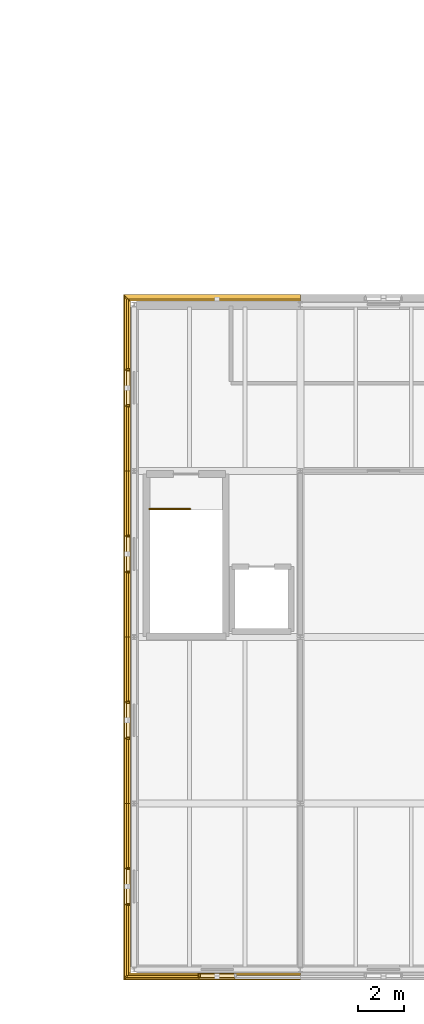
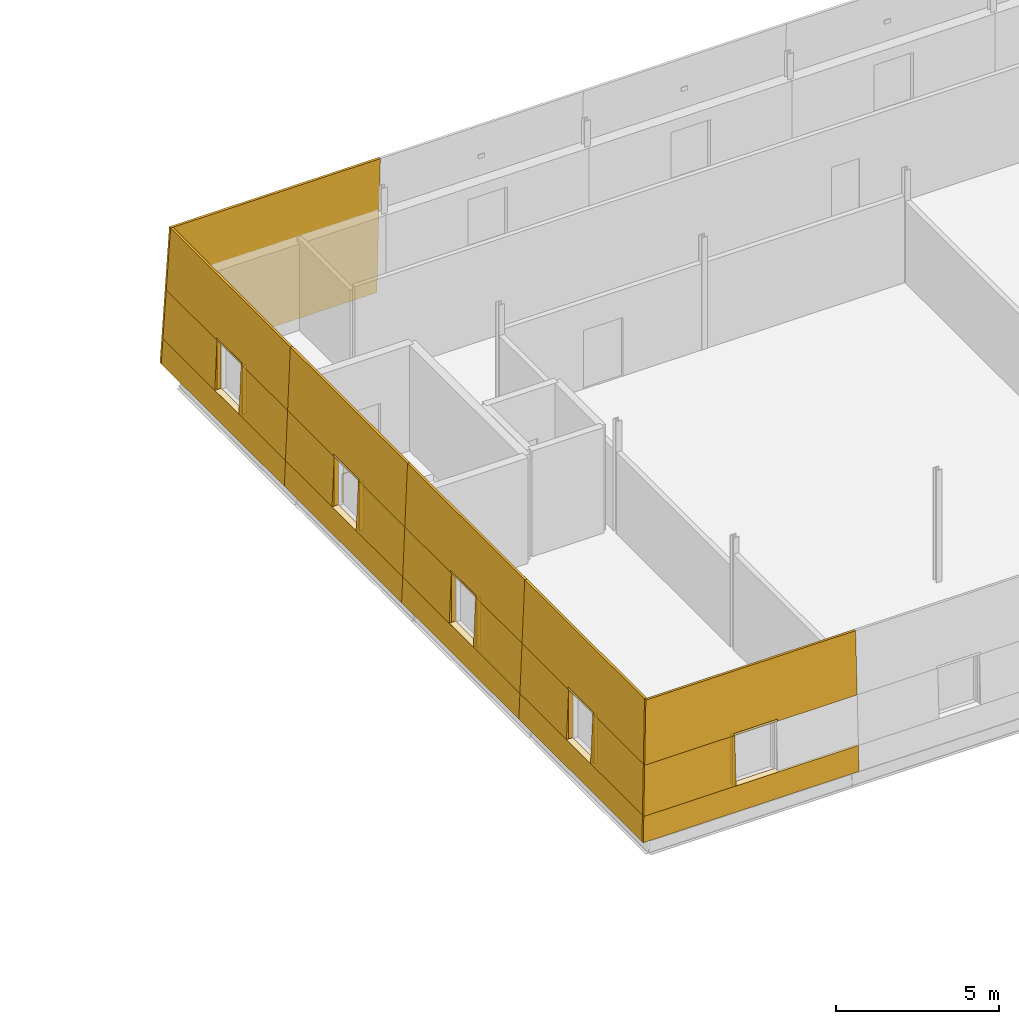
# One storey, part 78 of 91: 39 coverings, 1 railing.
"""IFC4 building model written with IfcOpenShell, lengths in metres."""

from ifc_helpers import new_model, si_unit, direction, frame, origin, origin_2d, place, context, subcontext, project, spatial, polyline, circle, outline, extrude, material, layer, layer_set, type_object, element, save


model = new_model("IFC4")

# Units and contexts
model_context = context("Model", 3, precision=1e-05, world=origin(), true_north=direction((0.0, 1.0)))
body_context = subcontext(model_context, "Body", "Model", "MODEL_VIEW")
ifc_project = project(units=[si_unit("LENGTHUNIT", "METRE"), si_unit("AREAUNIT", "SQUARE_METRE"), si_unit("VOLUMEUNIT", "CUBIC_METRE"), si_unit("PLANEANGLEUNIT", "RADIAN"), si_unit("MASSUNIT", "GRAM", prefix="KILO")], contexts=[model_context])

# Site, building, storey
site_placement = place(None, origin())
site = spatial("IfcSite", under=ifc_project, at=site_placement, CompositionType="ELEMENT")
building_placement = place(site_placement, origin())
building = spatial("IfcBuilding", under=site, at=building_placement, Name="Narikvali Park Central Library", CompositionType="ELEMENT")
storey_placement = place(building_placement, frame((0.0, 0.0, 14.39990234375)))
storey = spatial("IfcBuildingStorey", under=building, at=storey_placement, Name="L03", CompositionType="ELEMENT", Elevation=14.39990234375)

# Coverings
ifc_material_1 = material(Name="White Honed Limestone Cladding", Category="masonry")
ifc_layer_1 = layer(ifc_material_1, 0.0849609375, Name="White Honed Limestone Cladding")
ifc_layer_set_1 = layer_set([ifc_layer_1], Name="White Honed Limestone Cladding")
covering_type_1 = type_object("IfcCoveringType", Name="Battered White Limestone Facade Cladding Panel", PredefinedType="CLADDING", material=ifc_layer_set_1)
covering_1_placement = place(storey_placement, frame((121.94921875, -0.45068359375, 0.0), z_axis=(0.0, -0.999166557991, 0.040818983227), x_axis=(1.0, 0.0, 0.0)))
element("IfcCovering", 1, at=covering_1_placement, inside=storey, type_object=covering_type_1, Name="V6 L03 S Battered Limestone Spandrel B01", PredefinedType="CLADDING", context=body_context, shape_type="SweptSolid", body=[
    extrude(outline(polyline([(0.0, 0.0), (7.65087890625, 0.0), (7.65087890625, 0.9509879057703832), (0.038818359375, 0.9509879057703832), (0.0, 0.0)])), origin(), (0.0, 0.0, -1.0), 0.0849609375),
])
covering_2_placement = place(storey_placement, frame((122.063720703125, -0.336181640625, 2.800048828125), z_axis=(0.0, -0.999163385357, 0.040896569066), x_axis=(1.0, 0.0, 0.0)))
element("IfcCovering", 2, at=covering_2_placement, inside=storey, type_object=covering_type_1, Name="V6 L03 S Battered Limestone Lintel B01", PredefinedType="CLADDING", context=body_context, shape_type="SweptSolid", body=[
    extrude(outline(polyline([(0.0, 0.0), (7.536376953125, 0.0), (7.536376953125, 2.352065428628229), (0.09619140625, 2.352065428628229), (0.0, 0.0)])), origin(), (0.0, 0.0, -1.0), 0.0849609375),
])
covering_3_placement = place(storey_placement, frame((121.988037109375, -0.411865234375, 0.9501953125), z_axis=(0.0, -0.999164100603, 0.040879090826), x_axis=(1.0, 0.0, 0.0)))
element("IfcCovering", 3, at=covering_3_placement, inside=storey, type_object=covering_type_1, Name="V6 L03 S Battered Limestone Jamb Pier L B01", PredefinedType="CLADDING", context=body_context, shape_type="SweptSolid", body=[
    extrude(outline(polyline([(0.0, 0.0), (3.27197265625, 0.0), (3.27197265625, 1.8514011006891744), (0.07568359375, 1.8514011006891744), (0.0, 0.0)])), origin(), (0.0, 0.0, -1.0), 0.0849609375),
])
covering_4_placement = place(storey_placement, frame((129.60009765625, 29.250732421875, 0.0), z_axis=(0.0, 0.999164228006, 0.040875976713), x_axis=(-1.0, 0.0, 0.0)))
element("IfcCovering", 4, at=covering_4_placement, inside=storey, type_object=covering_type_1, Name="V6 L03 N Battered Limestone Panel B06", PredefinedType="CLADDING", context=body_context, shape_type="SweptSolid", body=[
    extrude(outline(polyline([(0.0, 0.0), (7.65087890625, 0.0), (7.440185546875, 5.154454433032161), (0.0, 5.154454433032161), (0.0, 0.0)])), origin(), (0.0, 0.0, -1.0), 0.0849609375),
])
covering_5_placement = place(storey_placement, frame((121.94921875, 29.165771484375, 0.0), z_axis=(-0.999166557991, 0.0, 0.040818983227), x_axis=(0.0, -1.0, 0.0)))
element("IfcCovering", 5, at=covering_5_placement, inside=storey, type_object=covering_type_1, Name="V6 L03 W Battered Limestone Spandrel B01", PredefinedType="CLADDING", context=body_context, shape_type="SweptSolid", body=[
    extrude(outline(polyline([(0.0, 0.0), (7.565673828125, 0.0), (7.565673828125, 0.9509879057703832), (0.038818359375, 0.9509879057703832), (0.0, 0.0)])), origin(), (0.0, 0.0, -1.0), 0.0849609375),
])
covering_6_placement = place(storey_placement, frame((122.063720703125, 29.05126953125, 2.800048828125), z_axis=(-0.999163385357, 0.0, 0.040896569066), x_axis=(0.0, -1.0, 0.0)))
element("IfcCovering", 6, at=covering_6_placement, inside=storey, type_object=covering_type_1, Name="V6 L03 W Battered Limestone Lintel B01", PredefinedType="CLADDING", context=body_context, shape_type="SweptSolid", body=[
    extrude(outline(polyline([(0.0, 0.0), (7.451171875, 0.0), (7.451171875, 2.352065428628229), (0.09619140625, 2.352065428628229), (0.0, 0.0)])), origin(), (0.0, 0.0, -1.0), 0.0849609375),
])
covering_7_placement = place(storey_placement, frame((121.988037109375, 29.126953125, 0.9501953125), z_axis=(-0.999164100603, 0.0, 0.040879090826), x_axis=(0.0, -1.0, 0.0)))
element("IfcCovering", 7, at=covering_7_placement, inside=storey, type_object=covering_type_1, Name="V6 L03 W Battered Limestone Jamb Pier L B01", PredefinedType="CLADDING", context=body_context, shape_type="SweptSolid", body=[
    extrude(outline(polyline([(0.0, 0.0), (3.18701171875, 0.0), (3.18701171875, 1.8514011006891746), (0.07568359375, 1.8514011006891746), (0.0, 0.0)])), origin(), (0.0, 0.0, -1.0), 0.0849609375),
])
covering_8_placement = place(storey_placement, frame((121.988037109375, 24.4599609375, 0.9501953125), z_axis=(-0.999164100603, 0.0, 0.040879090826), x_axis=(0.0, -1.0, 0.0)))
element("IfcCovering", 8, at=covering_8_placement, inside=storey, type_object=covering_type_1, Name="V6 L03 W Battered Limestone Jamb Pier R B01", PredefinedType="CLADDING", context=body_context, shape_type="SweptSolid", body=[
    extrude(outline(polyline([(0.0, 0.0), (2.85986328125, 0.0), (2.85986328125, 1.8514011006891746), (0.0, 1.8514011006891746), (0.0, 0.0)])), origin(), (0.0, 0.0, -1.0), 0.0849609375),
])
covering_9_placement = place(storey_placement, frame((121.94921875, 21.60009765625, 0.0), z_axis=(-0.999166557991, 0.0, 0.040818983227), x_axis=(0.0, -1.0, 0.0)))
element("IfcCovering", 9, at=covering_9_placement, inside=storey, type_object=covering_type_1, Name="V6 L03 W Battered Limestone Spandrel B02", PredefinedType="CLADDING", context=body_context, shape_type="SweptSolid", body=[
    extrude(outline(polyline([(0.0, 0.0), (7.2001953125, 0.0), (7.2001953125, 0.9509879057703833), (0.0, 0.9509879057703833), (0.0, 0.0)])), origin(), (0.0, 0.0, -1.0), 0.0849609375),
])
covering_10_placement = place(storey_placement, frame((122.063720703125, 21.60009765625, 2.800048828125), z_axis=(-0.999163385357, 0.0, 0.040896569066), x_axis=(0.0, -1.0, 0.0)))
element("IfcCovering", 10, at=covering_10_placement, inside=storey, type_object=covering_type_1, Name="V6 L03 W Battered Limestone Lintel B02", PredefinedType="CLADDING", context=body_context, shape_type="SweptSolid", body=[
    extrude(outline(polyline([(0.0, 0.0), (7.2001953125, 0.0), (7.2001953125, 2.352065428628229), (0.0, 2.352065428628229), (0.0, 0.0)])), origin(), (0.0, 0.0, -1.0), 0.0849609375),
])
for number, where, z_axis, x_axis, name in (
    (11, (121.988037109375, 21.60009765625, 0.9501953125), (-0.999164100603, 0.0, 0.040879090826), (0.0, -1.0, 0.0), "V6 L03 W Battered Limestone Jamb Pier L B02"),
    (12, (121.988037109375, 17.260009765625, 0.9501953125), (-0.999164100603, 0.0, 0.040879090826), (0.0, -1.0, 0.0), "V6 L03 W Battered Limestone Jamb Pier R B02"),
):
    element("IfcCovering", number, at=place(storey_placement, frame(where, z_axis=z_axis, x_axis=x_axis)), inside=storey, type_object=covering_type_1, Name=name, PredefinedType="CLADDING", context=body_context, shape_type="SweptSolid", body=[
        extrude(outline(polyline([(0.0, 0.0), (2.860107421875, 0.0), (2.860107421875, 1.8514011006891744), (0.0, 1.8514011006891744), (0.0, 0.0)])), origin(), (0.0, 0.0, -1.0), 0.0849609375),
    ])
covering_11_placement = place(storey_placement, frame((121.94921875, 14.39990234375, 0.0), z_axis=(-0.999166557991, 0.0, 0.040818983227), x_axis=(0.0, -1.0, 0.0)))
element("IfcCovering", 13, at=covering_11_placement, inside=storey, type_object=covering_type_1, Name="V6 L03 W Battered Limestone Spandrel B03", PredefinedType="CLADDING", context=body_context, shape_type="SweptSolid", body=[
    extrude(outline(polyline([(0.0, 0.0), (7.199951171875, 0.0), (7.199951171875, 0.9509879057703833), (0.0, 0.9509879057703833), (0.0, 0.0)])), origin(), (0.0, 0.0, -1.0), 0.0849609375),
])
covering_12_placement = place(storey_placement, frame((122.063720703125, 14.39990234375, 2.800048828125), z_axis=(-0.999163385357, 0.0, 0.040896569066), x_axis=(0.0, -1.0, 0.0)))
element("IfcCovering", 14, at=covering_12_placement, inside=storey, type_object=covering_type_1, Name="V6 L03 W Battered Limestone Lintel B03", PredefinedType="CLADDING", context=body_context, shape_type="SweptSolid", body=[
    extrude(outline(polyline([(0.0, 0.0), (7.199951171875, 0.0), (7.199951171875, 2.352065428628229), (0.0, 2.352065428628229), (0.0, 0.0)])), origin(), (0.0, 0.0, -1.0), 0.0849609375),
])
covering_13_placement = place(storey_placement, frame((121.988037109375, 14.39990234375, 0.9501953125), z_axis=(-0.999164100603, 0.0, 0.040879090826), x_axis=(0.0, -1.0, 0.0)))
element("IfcCovering", 15, at=covering_13_placement, inside=storey, type_object=covering_type_1, Name="V6 L03 W Battered Limestone Jamb Pier L B03", PredefinedType="CLADDING", context=body_context, shape_type="SweptSolid", body=[
    extrude(outline(polyline([(0.0, 0.0), (2.85986328125, 0.0), (2.85986328125, 1.8514011006891746), (0.0, 1.8514011006891746), (0.0, 0.0)])), origin(), (0.0, 0.0, -1.0), 0.0849609375),
])
covering_14_placement = place(storey_placement, frame((121.988037109375, 10.06005859375, 0.9501953125), z_axis=(-0.999164100603, 0.0, 0.040879090826), x_axis=(0.0, -1.0, 0.0)))
element("IfcCovering", 16, at=covering_14_placement, inside=storey, type_object=covering_type_1, Name="V6 L03 W Battered Limestone Jamb Pier R B03", PredefinedType="CLADDING", context=body_context, shape_type="SweptSolid", body=[
    extrude(outline(polyline([(0.0, 0.0), (2.860107421875, 0.0), (2.860107421875, 1.8514011006891744), (0.0, 1.8514011006891744), (0.0, 0.0)])), origin(), (0.0, 0.0, -1.0), 0.0849609375),
])
covering_15_placement = place(storey_placement, frame((121.94921875, 7.199951171875, 0.0), z_axis=(-0.999166557991, 0.0, 0.040818983227), x_axis=(0.0, -1.0, 0.0)))
element("IfcCovering", 17, at=covering_15_placement, inside=storey, type_object=covering_type_1, Name="V6 L03 W Battered Limestone Spandrel B04", PredefinedType="CLADDING", context=body_context, shape_type="SweptSolid", body=[
    extrude(outline(polyline([(0.0, 0.0), (7.565673828125, 0.0), (7.52685546875, 0.9509879057703832), (0.0, 0.9509879057703832), (0.0, 0.0)])), origin(), (0.0, 0.0, -1.0), 0.0849609375),
])
covering_16_placement = place(storey_placement, frame((122.063720703125, 7.199951171875, 2.800048828125), z_axis=(-0.999163385357, 0.0, 0.040896569066), x_axis=(0.0, -1.0, 0.0)))
element("IfcCovering", 18, at=covering_16_placement, inside=storey, type_object=covering_type_1, Name="V6 L03 W Battered Limestone Lintel B04", PredefinedType="CLADDING", context=body_context, shape_type="SweptSolid", body=[
    extrude(outline(polyline([(0.0, 0.0), (7.451171875, 0.0), (7.35498046875, 2.352065428628229), (0.0, 2.352065428628229), (0.0, 0.0)])), origin(), (0.0, 0.0, -1.0), 0.0849609375),
])
covering_17_placement = place(storey_placement, frame((121.988037109375, 7.199951171875, 0.9501953125), z_axis=(-0.999164100603, 0.0, 0.040879090826), x_axis=(0.0, -1.0, 0.0)))
element("IfcCovering", 19, at=covering_17_placement, inside=storey, type_object=covering_type_1, Name="V6 L03 W Battered Limestone Jamb Pier L B04", PredefinedType="CLADDING", context=body_context, shape_type="SweptSolid", body=[
    extrude(outline(polyline([(0.0, 0.0), (2.85986328125, 0.0), (2.85986328125, 1.8514011006891746), (0.0, 1.8514011006891746), (0.0, 0.0)])), origin(), (0.0, 0.0, -1.0), 0.0849609375),
])
covering_18_placement = place(storey_placement, frame((121.988037109375, 2.860107421875, 0.9501953125), z_axis=(-0.999164100603, 0.0, 0.040879090826), x_axis=(0.0, -1.0, 0.0)))
element("IfcCovering", 20, at=covering_18_placement, inside=storey, type_object=covering_type_1, Name="V6 L03 W Battered Limestone Jamb Pier R B04", PredefinedType="CLADDING", context=body_context, shape_type="SweptSolid", body=[
    extrude(outline(polyline([(0.0, 0.0), (3.18701171875, 0.0), (3.111328125, 1.8514011006891746), (0.0, 1.8514011006891746), (0.0, 0.0)])), origin(), (0.0, 0.0, -1.0), 0.0849609375),
])
ifc_layer_2 = layer(ifc_material_1, 0.080078125, Name="White Honed Limestone Cladding")
ifc_layer_set_2 = layer_set([ifc_layer_2], Name="White Honed Limestone Cladding")
covering_type_2 = type_object("IfcCoveringType", Name="Deep Carved White Limestone Window Reveal", PredefinedType="CLADDING", material=ifc_layer_set_2)
covering_19_placement = place(storey_placement, frame((0.0, 0.0, 2.800048828125)))
element("IfcCovering", 21, at=covering_19_placement, inside=storey, type_object=covering_type_2, Name="Deep Stone Reveal Head V6-RVL-L03-S-B01", PredefinedType="CLADDING", context=body_context, shape_type="SweptSolid", body=[
    extrude(outline(polyline([(125.219970703125, -0.18505859375), (126.780029296875, -0.18505859375), (126.780029296875, -0.336181640625), (125.219970703125, -0.336181640625), (125.219970703125, -0.18505859375)])), origin(), (0.0, 0.0, 1.0), 0.080078125),
])
covering_20_placement = place(storey_placement, frame((0.0, 0.0, 0.8701171875)))
element("IfcCovering", 22, at=covering_20_placement, inside=storey, type_object=covering_type_2, Name="Deep Stone Reveal Sill V6-RVL-L03-S-B01", PredefinedType="CLADDING", context=body_context, shape_type="SweptSolid", body=[
    extrude(outline(polyline([(125.219970703125, -0.18505859375), (126.780029296875, -0.18505859375), (126.780029296875, -0.411865234375), (125.219970703125, -0.411865234375), (125.219970703125, -0.18505859375)])), origin(), (0.0, 0.0, 1.0), 0.080078125),
])
covering_21_placement = place(storey_placement, frame((0.0, 0.0, 0.9501953125)))
element("IfcCovering", 23, at=covering_21_placement, inside=storey, type_object=covering_type_2, Name="Deep Stone Reveal Jamb L V6-RVL-L03-S-B01", PredefinedType="CLADDING", context=body_context, shape_type="SweptSolid", body=[
    extrude(outline(polyline([(125.179931640625, -0.18505859375), (125.260009765625, -0.18505859375), (125.260009765625, -0.336181640625), (125.179931640625, -0.336181640625), (125.179931640625, -0.18505859375)])), origin(), (0.0, 0.0, 1.0), 1.849853515625),
])
covering_22_placement = place(storey_placement, frame((0.0, 0.0, 2.800048828125)))
element("IfcCovering", 24, at=covering_22_placement, inside=storey, type_object=covering_type_2, Name="Deep Stone Reveal Head V6-RVL-L03-W-B01", PredefinedType="CLADDING", context=body_context, shape_type="SweptSolid", body=[
    extrude(outline(polyline([(122.215087890625, 25.97998046875), (122.215087890625, 24.419921875), (122.063720703125, 24.419921875), (122.063720703125, 25.97998046875), (122.215087890625, 25.97998046875)])), origin(), (0.0, 0.0, 1.0), 0.080078125),
])
covering_23_placement = place(storey_placement, frame((0.0, 0.0, 0.8701171875)))
element("IfcCovering", 25, at=covering_23_placement, inside=storey, type_object=covering_type_2, Name="Deep Stone Reveal Sill V6-RVL-L03-W-B01", PredefinedType="CLADDING", context=body_context, shape_type="SweptSolid", body=[
    extrude(outline(polyline([(122.215087890625, 25.97998046875), (122.215087890625, 24.419921875), (121.988037109375, 24.419921875), (121.988037109375, 25.97998046875), (122.215087890625, 25.97998046875)])), origin(), (0.0, 0.0, 1.0), 0.080078125),
])
covering_24_placement = place(storey_placement, frame((0.0, 0.0, 0.9501953125)))
element("IfcCovering", 26, at=covering_24_placement, inside=storey, type_object=covering_type_2, Name="Deep Stone Reveal Jamb L V6-RVL-L03-W-B01", PredefinedType="CLADDING", context=body_context, shape_type="SweptSolid", body=[
    extrude(outline(polyline([(122.215087890625, 26.02001953125), (122.215087890625, 25.93994140625), (122.063720703125, 25.93994140625), (122.063720703125, 26.02001953125), (122.215087890625, 26.02001953125)])), origin(), (0.0, 0.0, 1.0), 1.849853515625),
])
covering_25_placement = place(storey_placement, frame((0.0, 0.0, 0.9501953125)))
element("IfcCovering", 27, at=covering_25_placement, inside=storey, type_object=covering_type_2, Name="Deep Stone Reveal Jamb R V6-RVL-L03-W-B01", PredefinedType="CLADDING", context=body_context, shape_type="SweptSolid", body=[
    extrude(outline(polyline([(122.215087890625, 24.4599609375), (122.215087890625, 24.3798828125), (122.063720703125, 24.3798828125), (122.063720703125, 24.4599609375), (122.215087890625, 24.4599609375)])), origin(), (0.0, 0.0, 1.0), 1.849853515625),
])
covering_26_placement = place(storey_placement, frame((0.0, 0.0, 2.800048828125)))
element("IfcCovering", 28, at=covering_26_placement, inside=storey, type_object=covering_type_2, Name="Deep Stone Reveal Head V6-RVL-L03-W-B02", PredefinedType="CLADDING", context=body_context, shape_type="SweptSolid", body=[
    extrude(outline(polyline([(122.215087890625, 18.780029296875), (122.215087890625, 17.219970703125), (122.063720703125, 17.219970703125), (122.063720703125, 18.780029296875), (122.215087890625, 18.780029296875)])), origin(), (0.0, 0.0, 1.0), 0.080078125),
])
covering_27_placement = place(storey_placement, frame((0.0, 0.0, 0.8701171875)))
element("IfcCovering", 29, at=covering_27_placement, inside=storey, type_object=covering_type_2, Name="Deep Stone Reveal Sill V6-RVL-L03-W-B02", PredefinedType="CLADDING", context=body_context, shape_type="SweptSolid", body=[
    extrude(outline(polyline([(122.215087890625, 18.780029296875), (122.215087890625, 17.219970703125), (121.988037109375, 17.219970703125), (121.988037109375, 18.780029296875), (122.215087890625, 18.780029296875)])), origin(), (0.0, 0.0, 1.0), 0.080078125),
])
covering_28_placement = place(storey_placement, frame((0.0, 0.0, 0.9501953125)))
element("IfcCovering", 30, at=covering_28_placement, inside=storey, type_object=covering_type_2, Name="Deep Stone Reveal Jamb L V6-RVL-L03-W-B02", PredefinedType="CLADDING", context=body_context, shape_type="SweptSolid", body=[
    extrude(outline(polyline([(122.215087890625, 18.820068359375), (122.215087890625, 18.739990234375), (122.063720703125, 18.739990234375), (122.063720703125, 18.820068359375), (122.215087890625, 18.820068359375)])), origin(), (0.0, 0.0, 1.0), 1.849853515625),
])
covering_29_placement = place(storey_placement, frame((0.0, 0.0, 0.9501953125)))
element("IfcCovering", 31, at=covering_29_placement, inside=storey, type_object=covering_type_2, Name="Deep Stone Reveal Jamb R V6-RVL-L03-W-B02", PredefinedType="CLADDING", context=body_context, shape_type="SweptSolid", body=[
    extrude(outline(polyline([(122.215087890625, 17.260009765625), (122.215087890625, 17.179931640625), (122.063720703125, 17.179931640625), (122.063720703125, 17.260009765625), (122.215087890625, 17.260009765625)])), origin(), (0.0, 0.0, 1.0), 1.849853515625),
])
covering_30_placement = place(storey_placement, frame((0.0, 0.0, 2.800048828125)))
element("IfcCovering", 32, at=covering_30_placement, inside=storey, type_object=covering_type_2, Name="Deep Stone Reveal Head V6-RVL-L03-W-B03", PredefinedType="CLADDING", context=body_context, shape_type="SweptSolid", body=[
    extrude(outline(polyline([(122.215087890625, 11.580078125), (122.215087890625, 10.02001953125), (122.063720703125, 10.02001953125), (122.063720703125, 11.580078125), (122.215087890625, 11.580078125)])), origin(), (0.0, 0.0, 1.0), 0.080078125),
])
covering_31_placement = place(storey_placement, frame((0.0, 0.0, 0.8701171875)))
element("IfcCovering", 33, at=covering_31_placement, inside=storey, type_object=covering_type_2, Name="Deep Stone Reveal Sill V6-RVL-L03-W-B03", PredefinedType="CLADDING", context=body_context, shape_type="SweptSolid", body=[
    extrude(outline(polyline([(122.215087890625, 11.580078125), (122.215087890625, 10.02001953125), (121.988037109375, 10.02001953125), (121.988037109375, 11.580078125), (122.215087890625, 11.580078125)])), origin(), (0.0, 0.0, 1.0), 0.080078125),
])
covering_32_placement = place(storey_placement, frame((0.0, 0.0, 0.9501953125)))
element("IfcCovering", 34, at=covering_32_placement, inside=storey, type_object=covering_type_2, Name="Deep Stone Reveal Jamb L V6-RVL-L03-W-B03", PredefinedType="CLADDING", context=body_context, shape_type="SweptSolid", body=[
    extrude(outline(polyline([(122.215087890625, 11.6201171875), (122.215087890625, 11.5400390625), (122.063720703125, 11.5400390625), (122.063720703125, 11.6201171875), (122.215087890625, 11.6201171875)])), origin(), (0.0, 0.0, 1.0), 1.849853515625),
])
covering_33_placement = place(storey_placement, frame((0.0, 0.0, 0.9501953125)))
element("IfcCovering", 35, at=covering_33_placement, inside=storey, type_object=covering_type_2, Name="Deep Stone Reveal Jamb R V6-RVL-L03-W-B03", PredefinedType="CLADDING", context=body_context, shape_type="SweptSolid", body=[
    extrude(outline(polyline([(122.215087890625, 10.06005859375), (122.215087890625, 9.97998046875), (122.063720703125, 9.97998046875), (122.063720703125, 10.06005859375), (122.215087890625, 10.06005859375)])), origin(), (0.0, 0.0, 1.0), 1.849853515625),
])
covering_34_placement = place(storey_placement, frame((0.0, 0.0, 2.800048828125)))
element("IfcCovering", 36, at=covering_34_placement, inside=storey, type_object=covering_type_2, Name="Deep Stone Reveal Head V6-RVL-L03-W-B04", PredefinedType="CLADDING", context=body_context, shape_type="SweptSolid", body=[
    extrude(outline(polyline([(122.215087890625, 4.3798828125), (122.215087890625, 2.820068359375), (122.063720703125, 2.820068359375), (122.063720703125, 4.3798828125), (122.215087890625, 4.3798828125)])), origin(), (0.0, 0.0, 1.0), 0.080078125),
])
covering_35_placement = place(storey_placement, frame((0.0, 0.0, 0.8701171875)))
element("IfcCovering", 37, at=covering_35_placement, inside=storey, type_object=covering_type_2, Name="Deep Stone Reveal Sill V6-RVL-L03-W-B04", PredefinedType="CLADDING", context=body_context, shape_type="SweptSolid", body=[
    extrude(outline(polyline([(122.215087890625, 4.3798828125), (122.215087890625, 2.820068359375), (121.988037109375, 2.820068359375), (121.988037109375, 4.3798828125), (122.215087890625, 4.3798828125)])), origin(), (0.0, 0.0, 1.0), 0.080078125),
])
covering_36_placement = place(storey_placement, frame((0.0, 0.0, 0.9501953125)))
element("IfcCovering", 38, at=covering_36_placement, inside=storey, type_object=covering_type_2, Name="Deep Stone Reveal Jamb L V6-RVL-L03-W-B04", PredefinedType="CLADDING", context=body_context, shape_type="SweptSolid", body=[
    extrude(outline(polyline([(122.215087890625, 4.419921875), (122.215087890625, 4.340087890625), (122.063720703125, 4.340087890625), (122.063720703125, 4.419921875), (122.215087890625, 4.419921875)])), origin(), (0.0, 0.0, 1.0), 1.849853515625),
])
covering_37_placement = place(storey_placement, frame((0.0, 0.0, 0.9501953125)))
element("IfcCovering", 39, at=covering_37_placement, inside=storey, type_object=covering_type_2, Name="Deep Stone Reveal Jamb R V6-RVL-L03-W-B04", PredefinedType="CLADDING", context=body_context, shape_type="SweptSolid", body=[
    extrude(outline(polyline([(122.215087890625, 2.860107421875), (122.215087890625, 2.780029296875), (122.063720703125, 2.780029296875), (122.063720703125, 2.860107421875), (122.215087890625, 2.860107421875)])), origin(), (0.0, 0.0, 1.0), 1.849853515625),
])

# Railing
ifc_material_2 = material(Name="Powder-Coated Steel S275", Category="steel")
ifc_layer_3 = layer(ifc_material_2, 0.050048828125, Name="Powder-Coated Steel S275")
ifc_layer_set_3 = layer_set([ifc_layer_3], Name="Powder-Coated Steel S275")
railing_type = type_object("IfcRailingType", Name="Stair Well Steel Guardrail 1100", PredefinedType="GUARDRAIL", material=ifc_layer_set_3)
railing_placement = place(storey_placement, frame((123.050048828125, 19.949951171875, 0.0)))
element("IfcRailing", 40, at=railing_placement, inside=storey, type_object=railing_type, Name="L03 ST-11 top well guard 1", PredefinedType="GUARDRAIL", context=body_context, shape_type="SweptSolid", body=[
    extrude(circle(Radius=0.02392578125, at=origin_2d()), frame((0.0, 0.0, 1.076171875), z_axis=(1.0, 0.0, 0.0), x_axis=(0.0, 1.0, 0.0)), (0.0, 0.0, 1.0), 1.780029296875),
    extrude(circle(Radius=0.02099609375, at=origin_2d()), origin(), (0.0, 0.0, 1.0), 1.052001953125),
    extrude(circle(Radius=0.02099609375, at=origin_2d()), frame((0.89013671875, 0.0, 0.0)), (0.0, 0.0, 1.0), 1.052001953125),
    extrude(circle(Radius=0.02099609375, at=origin_2d()), frame((1.780029296875, 0.0, 0.0)), (0.0, 0.0, 1.0), 1.052001953125),
])

save(model, "model.ifc")
